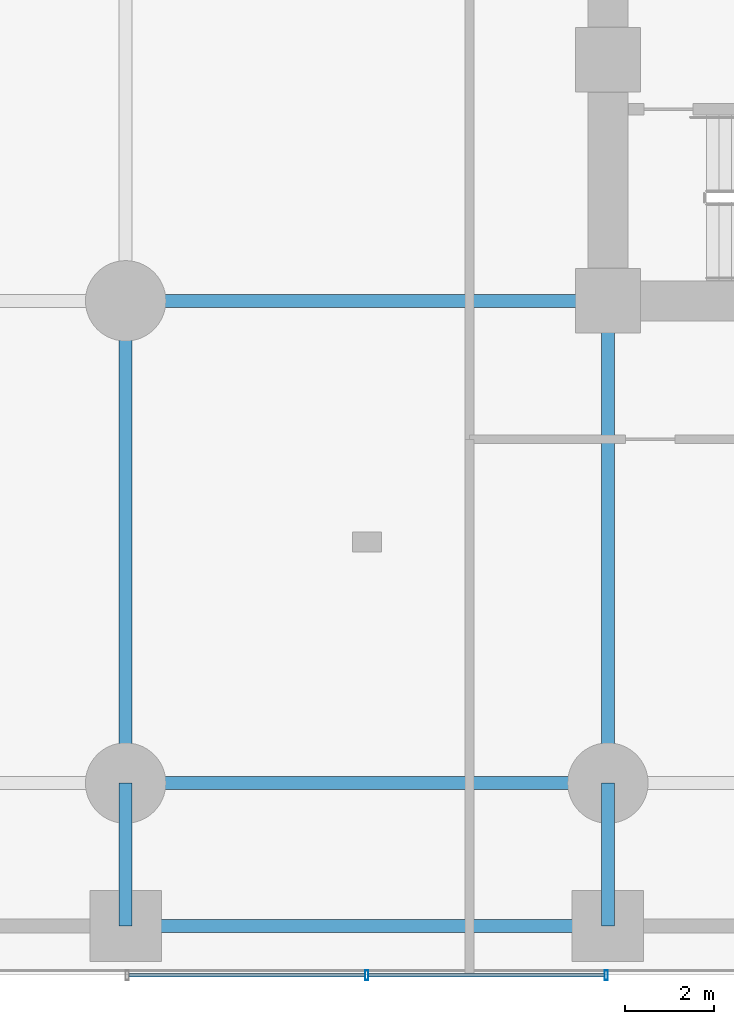
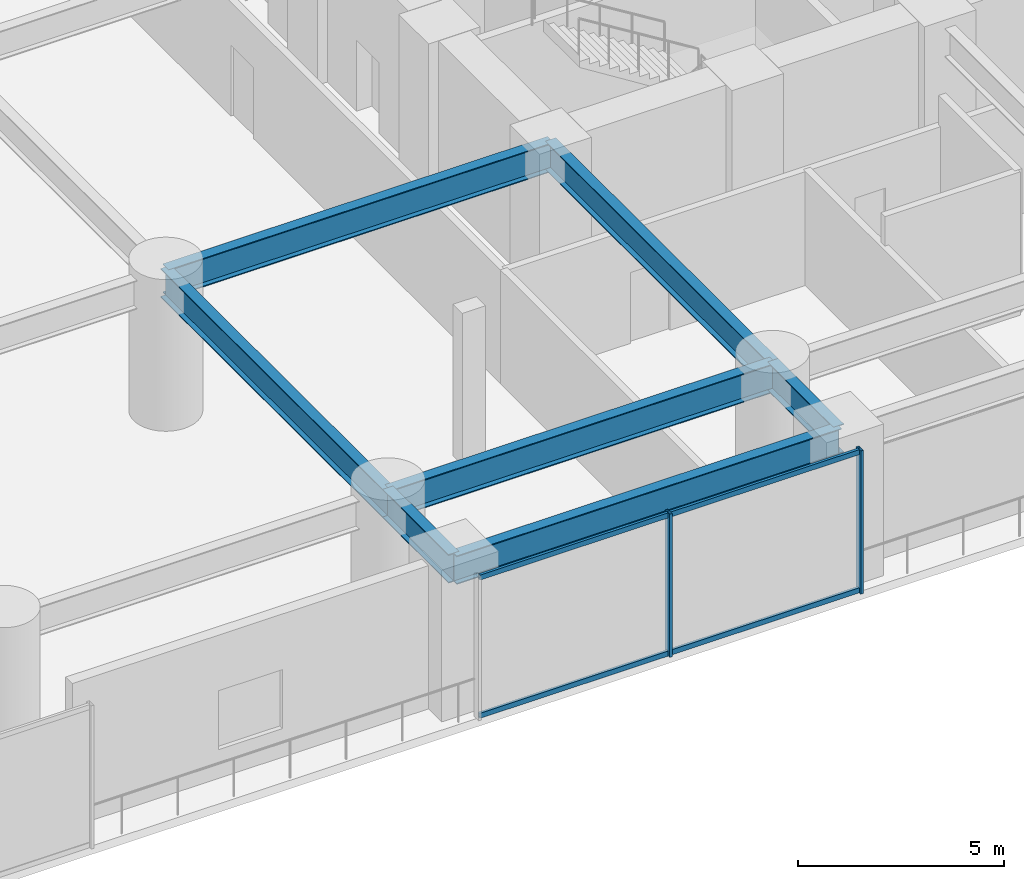
# One storey, part 5 of 36: 7 beams, 6 members, 1 element without a shape of its own.
"""IFC4 building model written with IfcOpenShell, lengths in metres."""

from ifc_helpers import new_model, si_unit, direction, frame, origin, origin_2d, place, context, subcontext, project, spatial, hollow_rectangle, i_section, extrude, material, layer, layer_set, material_profile, profile_set, type_object, element, aggregate, save


model = new_model("IFC4")

# Units and contexts
model_context = context("Model", 3, precision=1e-05, world=origin(), true_north=direction((0.0, 1.0)))
body_context = subcontext(model_context, "Body", "Model", "MODEL_VIEW")
ifc_project = project(units=[si_unit("LENGTHUNIT", "METRE"), si_unit("AREAUNIT", "SQUARE_METRE"), si_unit("VOLUMEUNIT", "CUBIC_METRE"), si_unit("PLANEANGLEUNIT", "RADIAN"), si_unit("MASSUNIT", "GRAM", prefix="KILO")], contexts=[model_context])

# Site, building, storey
site_placement = place(None, origin())
site = spatial("IfcSite", under=ifc_project, at=site_placement, CompositionType="ELEMENT")
building_placement = place(site_placement, origin())
building = spatial("IfcBuilding", under=site, at=building_placement, Name="Surkhivell Harbour Commons", CompositionType="ELEMENT")
storey_placement = place(building_placement, frame((0.0, 0.0, 9.0)))
storey = spatial("IfcBuildingStorey", under=building, at=storey_placement, Name="L02", CompositionType="ELEMENT", Elevation=9.0)

# Beams
ifc_material_1 = material(Name="Steel S460", Category="steel")
ifc_material_profile_1 = material_profile(ifc_material_1, i_section(OverallWidth=0.2939453125, OverallDepth=0.85107421875, WebThickness=0.01611328125, FlangeThickness=0.02685546875, at=origin_2d()), Name="UB838x292x226")
ifc_profile_set_1 = profile_set([ifc_material_profile_1], Name="Steel S460")
beam_type = type_object("IfcBeamType", Name="BM-SPN-838", PredefinedType="SPANDREL", material=ifc_profile_set_1)
beam_1_placement = place(storey_placement, frame((-21.60009765625, -24.800048828125, 3.824462890625), z_axis=(0.0, 1.0, 0.0), x_axis=(-1.0, 0.0, 0.0)))
element("IfcBeam", 1, at=beam_1_placement, inside=storey, type_object=beam_type, Name="L02 Framing Beam (-21.6,-24.8)", PredefinedType="SPANDREL", context=body_context, shape_type="SweptSolid", body=[
    extrude(i_section(OverallWidth=0.2939453125, OverallDepth=0.85107421875, WebThickness=0.01611328125, FlangeThickness=0.02685546875, at=origin_2d()), origin(), (0.0, 0.0, 1.0), 3.199951171875),
])
for number, where, z_axis, x_axis, name in (
    (2, (-21.60009765625, -24.800048828125, 3.824462890625), (1.0, 0.0, 0.0), (0.0, 1.0, 0.0), "L02 Framing Beam (-21.6,-24.8)"),
    (3, (-21.60009765625, -21.60009765625, 3.824462890625), (0.0, 1.0, 0.0), (-1.0, 0.0, 0.0), "L02 Framing Beam (-21.6,-21.6)"),
    (4, (-21.60009765625, -21.60009765625, 3.824462890625), (1.0, 0.0, 0.0), (0.0, 1.0, 0.0), "L02 Framing Beam (-21.6,-21.6)"),
    (5, (-21.60009765625, -10.800048828125, 3.824462890625), (1.0, 0.0, 0.0), (0.0, 1.0, 0.0), "L02 Framing Beam (-21.6,-10.8)"),
):
    element("IfcBeam", number, at=place(storey_placement, frame(where, z_axis=z_axis, x_axis=x_axis)), inside=storey, type_object=beam_type, Name=name, PredefinedType="SPANDREL", context=body_context, shape_type="SweptSolid", body=[
        extrude(i_section(OverallWidth=0.2939453125, OverallDepth=0.85107421875, WebThickness=0.01611328125, FlangeThickness=0.02685546875, at=origin_2d()), origin(), (0.0, 0.0, 1.0), 10.800048828125),
    ])
beam_2_placement = place(storey_placement, frame((-10.800048828125, -24.800048828125, 3.824462890625), z_axis=(0.0, 1.0, 0.0), x_axis=(-1.0, 0.0, 0.0)))
element("IfcBeam", 6, at=beam_2_placement, inside=storey, type_object=beam_type, Name="L02 Framing Beam (-10.8,-24.8)", PredefinedType="SPANDREL", context=body_context, shape_type="SweptSolid", body=[
    extrude(i_section(OverallWidth=0.2939453125, OverallDepth=0.85107421875, WebThickness=0.01611328125, FlangeThickness=0.02685546875, at=origin_2d()), origin(), (0.0, 0.0, 1.0), 3.199951171875),
])
beam_3_placement = place(storey_placement, frame((-10.800048828125, -21.60009765625, 3.824462890625), z_axis=(0.0, 1.0, 0.0), x_axis=(-1.0, 0.0, 0.0)))
element("IfcBeam", 7, at=beam_3_placement, inside=storey, type_object=beam_type, Name="L02 Framing Beam (-10.8,-21.6)", PredefinedType="SPANDREL", context=body_context, shape_type="SweptSolid", body=[
    extrude(i_section(OverallWidth=0.2939453125, OverallDepth=0.85107421875, WebThickness=0.01611328125, FlangeThickness=0.02685546875, at=origin_2d()), origin(), (0.0, 0.0, 1.0), 10.800048828125),
])

# Curtain wall, members
ifc_material_2 = material(Name="Anodised pale-metal aluminium and insulated glazing", Category="aluminium")
ifc_layer = layer(ifc_material_2, 0.239990234375)
ifc_layer_set = layer_set([ifc_layer], Name="Anodised pale-metal aluminium and insulated glazing")
curtain_wall_type = type_object("IfcCurtainWallType", Name="CW-SYS-POD", PredefinedType="NOTDEFINED", material=ifc_layer_set)
curtain_wall_placement = place(storey_placement, origin())
curtain_wall = element("IfcCurtainWall", 8, at=curtain_wall_placement, inside=storey, type_object=curtain_wall_type, Name="L02 Curtain Wall CW-L02-S3", PredefinedType="NOTDEFINED")
ifc_material_3 = material(Name="Anodised pale-metal aluminium alloy 6063-T6", Category="aluminium")
ifc_material_profile_2 = material_profile(ifc_material_3, hollow_rectangle(XDim=0.074951171875, YDim=0.219970703125, WallThickness=0.00390625, at=origin_2d()), Name="ALU-MULL-75x220")
ifc_profile_set_2 = profile_set([ifc_material_profile_2], Name="Anodised pale-metal aluminium alloy 6063-T6")
member_type_1 = type_object("IfcMemberType", Name="CWM-220", PredefinedType="MULLION", material=ifc_profile_set_2)
member_1_placement = place(storey_placement, frame((-10.83740234375, -25.89990234375, 0.0), z_axis=(0.0, 0.0, 1.0), x_axis=(-1.0, 0.0, 0.0)))
member_1 = element("IfcMember", 9, at=member_1_placement, type_object=member_type_1, Name="CW-POD mullion 1", PredefinedType="MULLION", context=body_context, shape_type="SweptSolid", body=[
    extrude(hollow_rectangle(XDim=0.074951171875, YDim=0.219970703125, WallThickness=0.00390625, at=origin_2d()), origin(), (0.0, 0.0, 1.0), 4.25),
])
member_2_placement = place(storey_placement, frame((-16.199951171875, -25.89990234375, 0.0), z_axis=(0.0, 0.0, 1.0), x_axis=(-1.0, 0.0, 0.0)))
member_2 = element("IfcMember", 10, at=member_2_placement, type_object=member_type_1, Name="CW-POD mullion 2", PredefinedType="MULLION", context=body_context, shape_type="SweptSolid", body=[
    extrude(hollow_rectangle(XDim=0.074951171875, YDim=0.219970703125, WallThickness=0.00390625, at=origin_2d()), origin(), (0.0, 0.0, 1.0), 4.25),
])
ifc_material_profile_3 = material_profile(ifc_material_3, hollow_rectangle(XDim=0.074951171875, YDim=0.14990234375, WallThickness=0.00341796875, at=origin_2d()), Name="ALU-TRAN-75x150")
ifc_profile_set_3 = profile_set([ifc_material_profile_3], Name="Anodised pale-metal aluminium alloy 6063-T6")
member_type_2 = type_object("IfcMemberType", Name="CWT-150", PredefinedType="USERDEFINED", material=ifc_profile_set_3)
member_3_placement = place(storey_placement, frame((-10.875, -25.89990234375, 0.074951171875), z_axis=(-1.0, 0.0, 0.0), x_axis=(0.0, -1.0, 0.0)))
member_3 = element("IfcMember", 11, at=member_3_placement, type_object=member_type_2, Name="CW-POD transom 1.1", ObjectType="TRANSOM", PredefinedType="USERDEFINED", context=body_context, shape_type="SweptSolid", body=[
    extrude(hollow_rectangle(XDim=0.074951171875, YDim=0.14990234375, WallThickness=0.00341796875, at=origin_2d()), origin(), (0.0, 0.0, 1.0), 5.28759765625),
])
member_4_placement = place(storey_placement, frame((-10.875, -25.89990234375, 4.175048828125), z_axis=(-1.0, 0.0, 0.0), x_axis=(0.0, -1.0, 0.0)))
member_4 = element("IfcMember", 12, at=member_4_placement, type_object=member_type_2, Name="CW-POD transom 1.2", ObjectType="TRANSOM", PredefinedType="USERDEFINED", context=body_context, shape_type="SweptSolid", body=[
    extrude(hollow_rectangle(XDim=0.074951171875, YDim=0.14990234375, WallThickness=0.00341796875, at=origin_2d()), origin(), (0.0, 0.0, 1.0), 5.28759765625),
])
member_5_placement = place(storey_placement, frame((-16.237548828125, -25.89990234375, 0.074951171875), z_axis=(-1.0, 0.0, 0.0), x_axis=(0.0, -1.0, 0.0)))
member_5 = element("IfcMember", 13, at=member_5_placement, type_object=member_type_2, Name="CW-POD transom 2.1", ObjectType="TRANSOM", PredefinedType="USERDEFINED", context=body_context, shape_type="SweptSolid", body=[
    extrude(hollow_rectangle(XDim=0.074951171875, YDim=0.14990234375, WallThickness=0.00341796875, at=origin_2d()), origin(), (0.0, 0.0, 1.0), 5.287353515625),
])
member_6_placement = place(storey_placement, frame((-16.237548828125, -25.89990234375, 4.175048828125), z_axis=(-1.0, 0.0, 0.0), x_axis=(0.0, -1.0, 0.0)))
member_6 = element("IfcMember", 14, at=member_6_placement, type_object=member_type_2, Name="CW-POD transom 2.2", ObjectType="TRANSOM", PredefinedType="USERDEFINED", context=body_context, shape_type="SweptSolid", body=[
    extrude(hollow_rectangle(XDim=0.074951171875, YDim=0.14990234375, WallThickness=0.00341796875, at=origin_2d()), origin(), (0.0, 0.0, 1.0), 5.287353515625),
])
aggregate(curtain_wall, [member_1, member_2, member_3, member_4, member_5, member_6])

save(model, "model.ifc")
